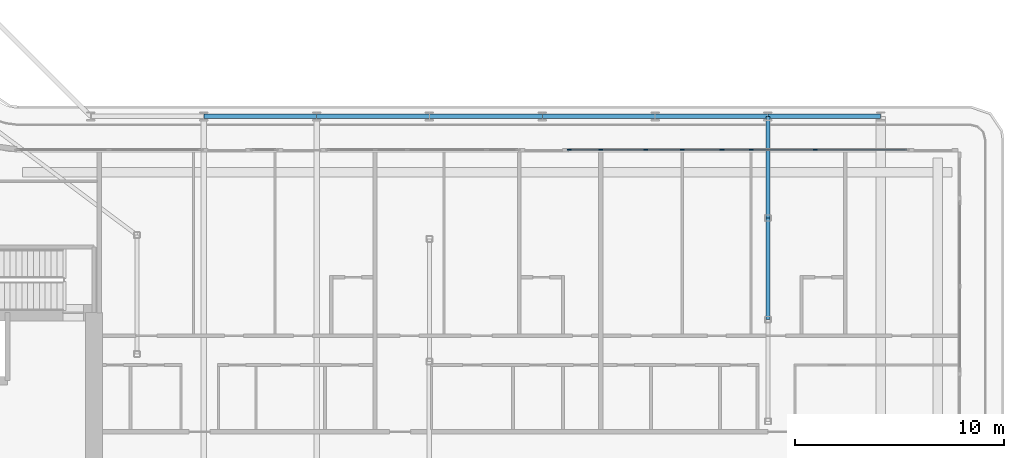
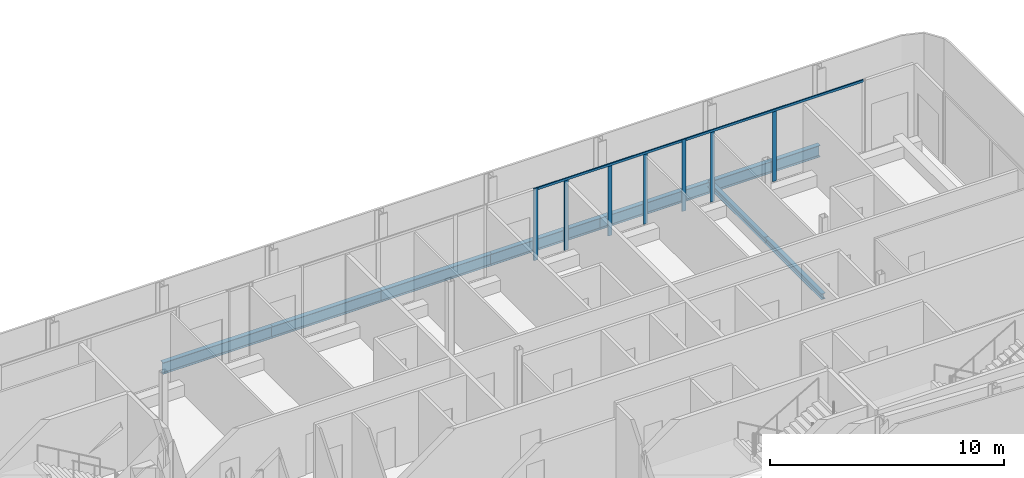
# One storey, part 8 of 30: 9 members, 8 beams, 2 elements without a shape of their own.
"""IFC4 building model written with IfcOpenShell, lengths in metres."""

from ifc_helpers import new_model, si_unit, direction, frame, origin, origin_2d, place, context, subcontext, project, spatial, rectangle, i_section, extrude, material, layer, layer_set, material_profile, profile_set, type_object, element, aggregate, save


model = new_model("IFC4")

# Units and contexts
model_context = context("Model", 3, precision=1e-05, world=origin(), true_north=direction((0.0, 1.0)))
body_context = subcontext(model_context, "Body", "Model", "MODEL_VIEW")
ifc_project = project(units=[si_unit("LENGTHUNIT", "METRE"), si_unit("AREAUNIT", "SQUARE_METRE"), si_unit("VOLUMEUNIT", "CUBIC_METRE"), si_unit("PLANEANGLEUNIT", "RADIAN"), si_unit("MASSUNIT", "GRAM", prefix="KILO")], contexts=[model_context])

# Site, building, storey
site_placement = place(None, origin())
site = spatial("IfcSite", under=ifc_project, at=site_placement, CompositionType="ELEMENT")
building_placement = place(site_placement, origin())
building = spatial("IfcBuilding", under=site, at=building_placement, Name="Kheshtan School and Residences Tower", CompositionType="ELEMENT")
storey_placement = place(building_placement, frame((0.0, 0.0, 164.300048828125)))
storey = spatial("IfcBuildingStorey", under=building, at=storey_placement, Name="L38", CompositionType="ELEMENT", Elevation=164.300048828125)

# Beams
ifc_material_1 = material(Name="Steel ASTM A992 Grade 50", Category="steel")
ifc_material_profile_1 = material_profile(ifc_material_1, i_section(OverallWidth=0.202880859375, OverallDepth=0.302978515625, WebThickness=0.007568359375, FlangeThickness=0.01318359375, FilletRadius=0.009033203125, at=origin_2d()), Name="W310x60")
ifc_profile_set_1 = profile_set([ifc_material_profile_1], Name="Steel ASTM A992 Grade 50")
beam_type_1 = type_object("IfcBeamType", Name="Beam FB1 W310x60 ASTM A992 Grade 50", PredefinedType="BEAM", material=ifc_profile_set_1)
for number, where, z_axis, x_axis, name in (
    (1, (85.39990234375, 45.60009765625, -0.301513671875), (0.0, -1.0, 0.0), (1.0, 0.0, 0.0), "Floor beam C067"),
    (2, (85.39990234375, 40.735107421875, -0.301513671875), (0.0, -1.0, 0.0), (1.0, 0.0, 0.0), "Floor beam IC"),
):
    element("IfcBeam", number, at=place(storey_placement, frame(where, z_axis=z_axis, x_axis=x_axis)), inside=storey, type_object=beam_type_1, Name=name, PredefinedType="BEAM", context=body_context, shape_type="SweptSolid", body=[
        extrude(i_section(OverallWidth=0.202880859375, OverallDepth=0.302978515625, WebThickness=0.007568359375, FlangeThickness=0.01318359375, FilletRadius=0.009033203125, at=origin_2d()), origin(), (0.0, 0.0, 1.0), 4.864990234375),
    ])
ifc_material_profile_2 = material_profile(ifc_material_1, i_section(OverallWidth=0.22802734375, OverallDepth=0.60302734375, WebThickness=0.010498046875, FlangeThickness=0.014892578125, FilletRadius=0.013427734375, at=origin_2d()), Name="W610x101")
ifc_profile_set_2 = profile_set([ifc_material_profile_2], Name="Steel ASTM A992 Grade 50")
beam_type_2 = type_object("IfcBeamType", Name="Beam SP2 W610x101 ASTM A992 Grade 50", PredefinedType="BEAM", material=ifc_profile_set_2)
beam_1_placement = place(storey_placement, frame((58.39990234375, 45.60009765625, -0.45166015625), z_axis=(1.0, 0.0, 0.0), x_axis=(0.0, 1.0, 0.0)))
element("IfcBeam", 3, at=beam_1_placement, inside=storey, type_object=beam_type_2, Name="Spandrel beam C062-C063", PredefinedType="BEAM", context=body_context, shape_type="SweptSolid", body=[
    extrude(i_section(OverallWidth=0.22802734375, OverallDepth=0.60302734375, WebThickness=0.010498046875, FlangeThickness=0.014892578125, FilletRadius=0.013427734375, at=origin_2d()), origin(), (0.0, 0.0, 1.0), 5.400146484375),
])
beam_2_placement = place(storey_placement, frame((63.800048828125, 45.60009765625, -0.45166015625), z_axis=(1.0, 0.0, 0.0), x_axis=(0.0, 1.0, 0.0)))
element("IfcBeam", 4, at=beam_2_placement, inside=storey, type_object=beam_type_2, Name="Spandrel beam C063-C064", PredefinedType="BEAM", context=body_context, shape_type="SweptSolid", body=[
    extrude(i_section(OverallWidth=0.22802734375, OverallDepth=0.60302734375, WebThickness=0.010498046875, FlangeThickness=0.014892578125, FilletRadius=0.013427734375, at=origin_2d()), origin(), (0.0, 0.0, 1.0), 5.39990234375),
])
beam_3_placement = place(storey_placement, frame((69.199951171875, 45.60009765625, -0.45166015625), z_axis=(1.0, 0.0, 0.0), x_axis=(0.0, 1.0, 0.0)))
element("IfcBeam", 5, at=beam_3_placement, inside=storey, type_object=beam_type_2, Name="Spandrel beam C064-C065", PredefinedType="BEAM", context=body_context, shape_type="SweptSolid", body=[
    extrude(i_section(OverallWidth=0.22802734375, OverallDepth=0.60302734375, WebThickness=0.010498046875, FlangeThickness=0.014892578125, FilletRadius=0.013427734375, at=origin_2d()), origin(), (0.0, 0.0, 1.0), 5.400146484375),
])
for number, where, z_axis, x_axis, name in (
    (6, (74.60009765625, 45.60009765625, -0.45166015625), (1.0, 0.0, 0.0), (0.0, 1.0, 0.0), "Spandrel beam C065-C066"),
    (7, (80.0, 45.60009765625, -0.45166015625), (1.0, 0.0, 0.0), (0.0, 1.0, 0.0), "Spandrel beam C066-C067"),
):
    element("IfcBeam", number, at=place(storey_placement, frame(where, z_axis=z_axis, x_axis=x_axis)), inside=storey, type_object=beam_type_2, Name=name, PredefinedType="BEAM", context=body_context, shape_type="SweptSolid", body=[
        extrude(i_section(OverallWidth=0.22802734375, OverallDepth=0.60302734375, WebThickness=0.010498046875, FlangeThickness=0.014892578125, FilletRadius=0.013427734375, at=origin_2d()), origin(), (0.0, 0.0, 1.0), 5.39990234375),
    ])
beam_4_placement = place(storey_placement, frame((85.39990234375, 45.60009765625, -0.45166015625), z_axis=(1.0, 0.0, 0.0), x_axis=(0.0, 1.0, 0.0)))
element("IfcBeam", 8, at=beam_4_placement, inside=storey, type_object=beam_type_2, Name="Spandrel beam C067-C068", PredefinedType="BEAM", context=body_context, shape_type="SweptSolid", body=[
    extrude(i_section(OverallWidth=0.22802734375, OverallDepth=0.60302734375, WebThickness=0.010498046875, FlangeThickness=0.014892578125, FilletRadius=0.013427734375, at=origin_2d()), origin(), (0.0, 0.0, 1.0), 5.400146484375),
])

# Curtain wall, members
ifc_material_2 = material(Name="Clear low-e glass in thermally broken aluminium frame", Category="aluminium")
ifc_layer = layer(ifc_material_2, 0.199951171875)
ifc_layer_set = layer_set([ifc_layer], Name="Curtain wall CW-L")
curtain_wall_type = type_object("IfcCurtainWallType", Name="Curtain wall CW-L", PredefinedType="NOTDEFINED", material=ifc_layer_set)
curtain_wall_1_placement = place(storey_placement, origin())
curtain_wall_1 = element("IfcCurtainWall", 9, at=curtain_wall_1_placement, inside=storey, type_object=curtain_wall_type, Name="Curtain wall CWL12x", PredefinedType="NOTDEFINED")
ifc_material_3 = material(Name="Thermally broken aluminium, dark bronze anodised", Category="aluminium")
ifc_material_profile_3 = material_profile(ifc_material_3, rectangle(XDim=0.06005859375, YDim=0.199951171875, at=origin_2d()), Name="CW-L mullion 60x200")
ifc_profile_set_3 = profile_set([ifc_material_profile_3], Name="Thermally broken aluminium, dark bronze anodised")
member_type_1 = type_object("IfcMemberType", Name="CW-L mullion 60x200", PredefinedType="MULLION", material=ifc_profile_set_3)
member_1_placement = place(storey_placement, frame((75.89501953125, 44.0, 0.0), z_axis=(0.0, 0.0, 1.0), x_axis=(0.0, 1.0, 0.0)))
member_1 = element("IfcMember", 10, at=member_1_placement, type_object=member_type_1, Name="CWL12x mullion 1", PredefinedType="MULLION", context=body_context, shape_type="SweptSolid", body=[
    extrude(rectangle(XDim=0.06005859375, YDim=0.199951171875, at=origin_2d()), origin(), (0.0, 0.0, 1.0), 3.75),
])
member_2_placement = place(storey_placement, frame((77.39990234375, 44.0, 0.0), z_axis=(0.0, 0.0, 1.0), x_axis=(0.0, 1.0, 0.0)))
member_2 = element("IfcMember", 11, at=member_2_placement, type_object=member_type_1, Name="CWL12x mullion 2", PredefinedType="MULLION", context=body_context, shape_type="SweptSolid", body=[
    extrude(rectangle(XDim=0.06005859375, YDim=0.199951171875, at=origin_2d()), origin(), (0.0, 0.0, 1.0), 3.6298828125),
])
member_3_placement = place(storey_placement, frame((79.548828125, 44.0, 0.0), z_axis=(0.0, 0.0, 1.0), x_axis=(0.0, 1.0, 0.0)))
member_3 = element("IfcMember", 12, at=member_3_placement, type_object=member_type_1, Name="CWL12x mullion 3", PredefinedType="MULLION", context=body_context, shape_type="SweptSolid", body=[
    extrude(rectangle(XDim=0.06005859375, YDim=0.199951171875, at=origin_2d()), origin(), (0.0, 0.0, 1.0), 3.6298828125),
])
member_4_placement = place(storey_placement, frame((81.300048828125, 44.0, 0.0), z_axis=(0.0, 0.0, 1.0), x_axis=(0.0, 1.0, 0.0)))
member_4 = element("IfcMember", 13, at=member_4_placement, type_object=member_type_1, Name="CWL12x mullion 4", PredefinedType="MULLION", context=body_context, shape_type="SweptSolid", body=[
    extrude(rectangle(XDim=0.06005859375, YDim=0.199951171875, at=origin_2d()), origin(), (0.0, 0.0, 1.0), 3.6298828125),
])
member_5_placement = place(storey_placement, frame((83.202392578125, 44.0, 0.0), z_axis=(0.0, 0.0, 1.0), x_axis=(0.0, 1.0, 0.0)))
member_5 = element("IfcMember", 14, at=member_5_placement, type_object=member_type_1, Name="CWL12x mullion 5", PredefinedType="MULLION", context=body_context, shape_type="SweptSolid", body=[
    extrude(rectangle(XDim=0.06005859375, YDim=0.199951171875, at=origin_2d()), origin(), (0.0, 0.0, 1.0), 3.75),
])

curtain_wall_2_placement = place(storey_placement, origin())
curtain_wall_2 = element("IfcCurtainWall", 15, at=curtain_wall_2_placement, inside=storey, type_object=curtain_wall_type, Name="Curtain wall CWL12y", PredefinedType="NOTDEFINED")
member_6_placement = place(storey_placement, frame((84.60009765625, 44.0, 0.0), z_axis=(0.0, 0.0, 1.0), x_axis=(0.0, 1.0, 0.0)))
member_6 = element("IfcMember", 16, at=member_6_placement, type_object=member_type_1, Name="CWL12y mullion 2", PredefinedType="MULLION", context=body_context, shape_type="SweptSolid", body=[
    extrude(rectangle(XDim=0.06005859375, YDim=0.199951171875, at=origin_2d()), origin(), (0.0, 0.0, 1.0), 3.6298828125),
])
member_7_placement = place(storey_placement, frame((87.666259765625, 44.0, 0.0), z_axis=(0.0, 0.0, 1.0), x_axis=(0.0, 1.0, 0.0)))
member_7 = element("IfcMember", 17, at=member_7_placement, type_object=member_type_1, Name="CWL12y mullion 3", PredefinedType="MULLION", context=body_context, shape_type="SweptSolid", body=[
    extrude(rectangle(XDim=0.06005859375, YDim=0.199951171875, at=origin_2d()), origin(), (0.0, 0.0, 1.0), 3.6298828125),
])

# Member
ifc_material_profile_4 = material_profile(ifc_material_3, rectangle(XDim=0.06005859375, YDim=0.1201171875, at=origin_2d()), Name="CW-L transom 60x120")
ifc_profile_set_4 = profile_set([ifc_material_profile_4], Name="Thermally broken aluminium, dark bronze anodised")
member_type_2 = type_object("IfcMemberType", Name="CW-L transom 60x120", PredefinedType="USERDEFINED", material=ifc_profile_set_4)
member_8_placement = place(storey_placement, frame((75.925048828125, 44.0, 3.68994140625), z_axis=(1.0, 0.0, 0.0), x_axis=(0.0, 1.0, 0.0)))
member_8 = element("IfcMember", 18, at=member_8_placement, type_object=member_type_2, Name="CWL12x transom 1", ObjectType="TRANSOM", PredefinedType="USERDEFINED", context=body_context, shape_type="SweptSolid", body=[
    extrude(rectangle(XDim=0.06005859375, YDim=0.1201171875, at=origin_2d()), origin(), (0.0, 0.0, 1.0), 7.24755859375),
])

aggregate(curtain_wall_1, [member_1, member_2, member_3, member_4, member_5, member_8])

member_9_placement = place(storey_placement, frame((83.232421875, 44.0, 3.68994140625), z_axis=(1.0, 0.0, 0.0), x_axis=(0.0, 1.0, 0.0)))
member_9 = element("IfcMember", 19, at=member_9_placement, type_object=member_type_2, Name="CWL12y transom 1", ObjectType="TRANSOM", PredefinedType="USERDEFINED", context=body_context, shape_type="SweptSolid", body=[
    extrude(rectangle(XDim=0.06005859375, YDim=0.1201171875, at=origin_2d()), origin(), (0.0, 0.0, 1.0), 8.8076171875),
])

aggregate(curtain_wall_2, [member_6, member_7, member_9])

save(model, "model.ifc")
